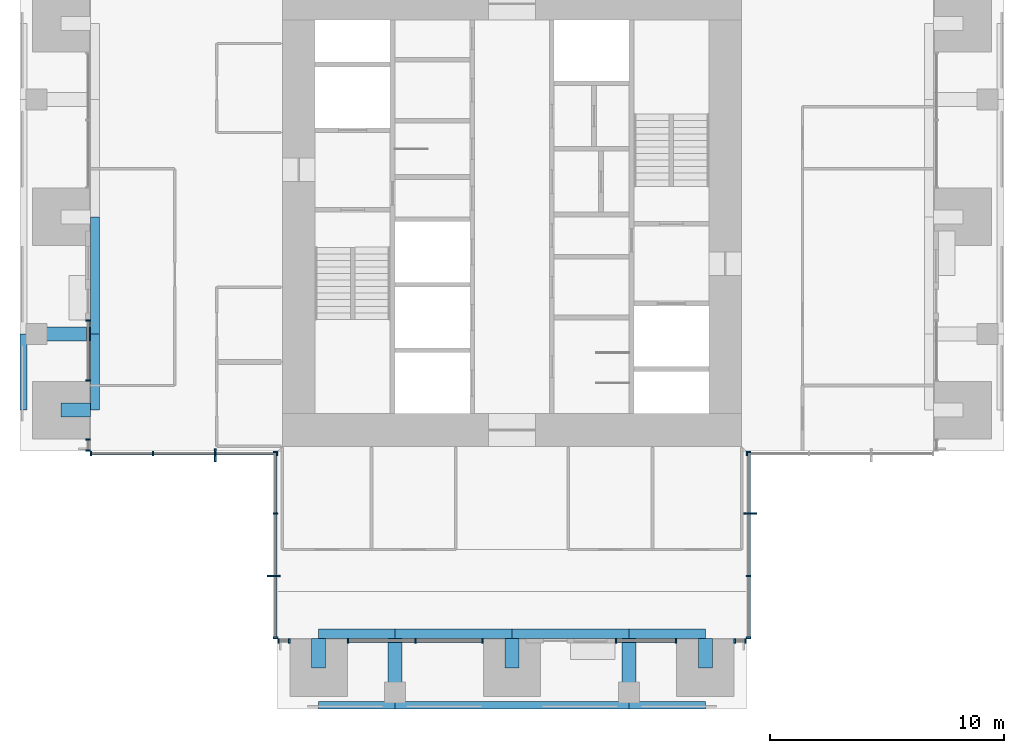
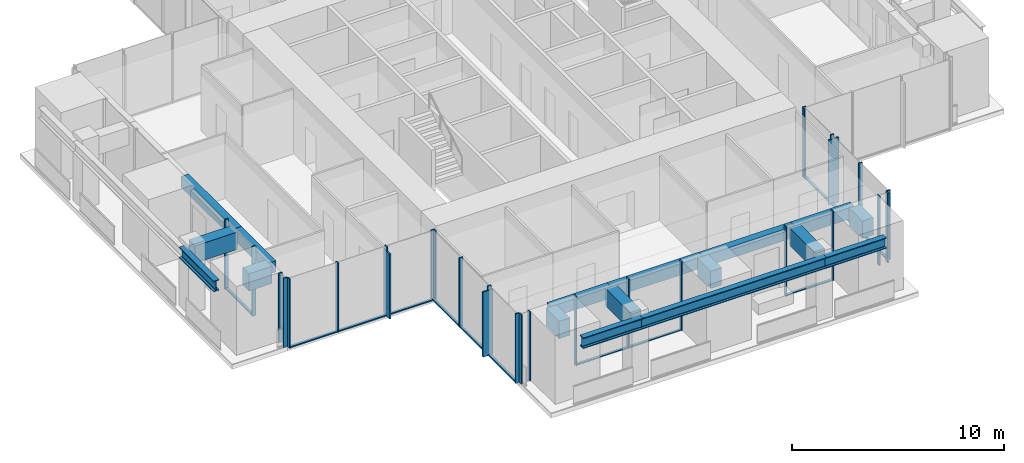
# One storey, part 2 of 17: 42 members, 17 beams, 10 elements without a shape of their own.
"""IFC4 building model written with IfcOpenShell, lengths in metres."""

from ifc_helpers import new_model, si_unit, direction, frame, origin, origin_2d, place, context, subcontext, project, spatial, rectangle, i_section, extrude, material, material_profile, profile_set, type_object, element, aggregate, save


model = new_model("IFC4")

# Units and contexts
model_context = context("Model", 3, precision=1e-05, world=origin(), true_north=direction((0.0, 1.0)))
body_context = subcontext(model_context, "Body", "Model", "MODEL_VIEW")
ifc_project = project(units=[si_unit("LENGTHUNIT", "METRE"), si_unit("AREAUNIT", "SQUARE_METRE"), si_unit("VOLUMEUNIT", "CUBIC_METRE"), si_unit("PLANEANGLEUNIT", "RADIAN"), si_unit("MASSUNIT", "GRAM", prefix="KILO")], contexts=[model_context])

# Site, building, storey
site_placement = place(None, origin())
site = spatial("IfcSite", under=ifc_project, at=site_placement, CompositionType="ELEMENT")
building_placement = place(site_placement, origin())
building = spatial("IfcBuilding", under=site, at=building_placement, Name="Svetlomir Tower", CompositionType="ELEMENT")
storey_placement = place(building_placement, frame((0.0, 0.0, 202.5)))
storey = spatial("IfcBuildingStorey", under=building, at=storey_placement, Name="L48", CompositionType="ELEMENT", Elevation=202.5)

# Curtain wall, member
ifc_material_1 = material(Name="Bronze anodised aluminium curtain wall", Category="aluminium")
curtain_wall_type = type_object("IfcCurtainWallType", Name="CURTAIN WALL CW1 TOWER OFFICE", PredefinedType="NOTDEFINED", material=ifc_material_1)
curtain_wall_1_placement = place(storey_placement, origin())
curtain_wall_1 = element("IfcCurtainWall", 1, at=curtain_wall_1_placement, inside=storey, type_object=curtain_wall_type, Name="Curtain wall CW1 L48", PredefinedType="NOTDEFINED")
ifc_material_2 = material(Name="Bronze anodised aluminium", Category="aluminium")
ifc_material_profile_1 = material_profile(ifc_material_2, rectangle(XDim=0.080078125, YDim=0.550048828125, at=origin_2d()), Name="FIN 80x550")
ifc_profile_set_1 = profile_set([ifc_material_profile_1], Name="Bronze anodised aluminium 6063-T6")
member_type_1 = type_object("IfcMemberType", Name="BRONZE FIN 80x550", PredefinedType="USERDEFINED", material=ifc_profile_set_1)
member_1_placement = place(storey_placement, frame((31.175048828125, 8.333251953125, 0.0), z_axis=(0.0, 0.0, 1.0), x_axis=(0.0, 1.0, 0.0)))
member_1 = element("IfcMember", 2, at=member_1_placement, type_object=member_type_1, Name="Bronze fin L48", ObjectType="FIN", PredefinedType="USERDEFINED", context=body_context, shape_type="SweptSolid", body=[
    extrude(rectangle(XDim=0.080078125, YDim=0.550048828125, at=origin_2d()), origin(), (0.0, 0.0, 1.0), 3.75),
])

curtain_wall_2_placement = place(storey_placement, origin())
curtain_wall_2 = element("IfcCurtainWall", 3, at=curtain_wall_2_placement, inside=storey, type_object=curtain_wall_type, Name="Curtain wall CW1 L48", PredefinedType="NOTDEFINED")
member_2_placement = place(storey_placement, frame((8.333251953125, 10.824951171875, 0.0), z_axis=(0.0, 0.0, 1.0), x_axis=(1.0, 0.0, 0.0)))
member_2 = element("IfcMember", 4, at=member_2_placement, type_object=member_type_1, Name="Bronze fin L48", ObjectType="FIN", PredefinedType="USERDEFINED", context=body_context, shape_type="SweptSolid", body=[
    extrude(rectangle(XDim=0.080078125, YDim=0.550048828125, at=origin_2d()), origin(), (0.0, 0.0, 1.0), 3.75),
])

curtain_wall_3_placement = place(storey_placement, origin())
curtain_wall_3 = element("IfcCurtainWall", 5, at=curtain_wall_3_placement, inside=storey, type_object=curtain_wall_type, Name="Curtain wall CW1 L48", PredefinedType="NOTDEFINED")
member_3_placement = place(storey_placement, frame((10.824951171875, 5.666748046875, 0.0), z_axis=(0.0, 0.0, 1.0), x_axis=(0.0, 1.0, 0.0)))
member_3 = element("IfcMember", 6, at=member_3_placement, type_object=member_type_1, Name="Bronze fin L48", ObjectType="FIN", PredefinedType="USERDEFINED", context=body_context, shape_type="SweptSolid", body=[
    extrude(rectangle(XDim=0.080078125, YDim=0.550048828125, at=origin_2d()), origin(), (0.0, 0.0, 1.0), 3.75),
])

# Curtain wall, members
curtain_wall_4_placement = place(storey_placement, origin())
curtain_wall_4 = element("IfcCurtainWall", 7, at=curtain_wall_4_placement, inside=storey, type_object=curtain_wall_type, Name="Curtain wall CW1 L48", PredefinedType="NOTDEFINED")
ifc_material_3 = material(Name="Bronze anodised aluminium", Category="aluminium")
ifc_material_profile_2 = material_profile(ifc_material_3, rectangle(XDim=0.06494140625, YDim=0.199951171875, at=origin_2d()), Name="AL 65x200")
ifc_profile_set_2 = profile_set([ifc_material_profile_2], Name="Bronze anodised aluminium 6063-T6")
member_type_2 = type_object("IfcMemberType", Name="CW1 MULLION 65x200", PredefinedType="MULLION", material=ifc_profile_set_2)
member_4_placement = place(storey_placement, frame((11.032470703125, 2.89990234375, 0.0), z_axis=(0.0, 0.0, 1.0), x_axis=(1.0, 0.0, 0.0)))
member_4 = element("IfcMember", 8, at=member_4_placement, type_object=member_type_2, Name="CW1 mullion 1", PredefinedType="MULLION", context=body_context, shape_type="SweptSolid", body=[
    extrude(rectangle(XDim=0.06494140625, YDim=0.199951171875, at=origin_2d()), origin(), (0.0, 0.0, 1.0), 4.0),
])
member_5_placement = place(storey_placement, frame((11.492431640625, 2.89990234375, 0.0), z_axis=(0.0, 0.0, 1.0), x_axis=(1.0, 0.0, 0.0)))
member_5 = element("IfcMember", 9, at=member_5_placement, type_object=member_type_2, Name="CW1 mullion 2", PredefinedType="MULLION", context=body_context, shape_type="SweptSolid", body=[
    extrude(rectangle(XDim=0.06494140625, YDim=0.199951171875, at=origin_2d()), origin(), (0.0, 0.0, 1.0), 4.0),
])
aggregate(curtain_wall_4, [member_4, member_5])

curtain_wall_5_placement = place(storey_placement, origin())
curtain_wall_5 = element("IfcCurtainWall", 10, at=curtain_wall_5_placement, inside=storey, type_object=curtain_wall_type, Name="Curtain wall CW1 L48", PredefinedType="NOTDEFINED")
member_6_placement = place(storey_placement, frame((14.007568359375, 2.89990234375, 0.0), z_axis=(0.0, 0.0, 1.0), x_axis=(1.0, 0.0, 0.0)))
member_6 = element("IfcMember", 11, at=member_6_placement, type_object=member_type_2, Name="CW1 mullion 1", PredefinedType="MULLION", context=body_context, shape_type="SweptSolid", body=[
    extrude(rectangle(XDim=0.06494140625, YDim=0.199951171875, at=origin_2d()), origin(), (0.0, 0.0, 1.0), 4.0),
])
member_7_placement = place(storey_placement, frame((16.875, 2.89990234375, 0.0), z_axis=(0.0, 0.0, 1.0), x_axis=(1.0, 0.0, 0.0)))
member_7 = element("IfcMember", 12, at=member_7_placement, type_object=member_type_2, Name="CW1 mullion 2", PredefinedType="MULLION", context=body_context, shape_type="SweptSolid", body=[
    extrude(rectangle(XDim=0.06494140625, YDim=0.199951171875, at=origin_2d()), origin(), (0.0, 0.0, 1.0), 4.0),
])
member_8_placement = place(storey_placement, frame((19.742431640625, 2.89990234375, 0.0), z_axis=(0.0, 0.0, 1.0), x_axis=(1.0, 0.0, 0.0)))
member_8 = element("IfcMember", 13, at=member_8_placement, type_object=member_type_2, Name="CW1 mullion 3", PredefinedType="MULLION", context=body_context, shape_type="SweptSolid", body=[
    extrude(rectangle(XDim=0.06494140625, YDim=0.199951171875, at=origin_2d()), origin(), (0.0, 0.0, 1.0), 4.0),
])

curtain_wall_6_placement = place(storey_placement, origin())
curtain_wall_6 = element("IfcCurtainWall", 14, at=curtain_wall_6_placement, inside=storey, type_object=curtain_wall_type, Name="Curtain wall CW1 L48", PredefinedType="NOTDEFINED")
member_9_placement = place(storey_placement, frame((25.4326171875, 2.89990234375, 0.0), z_axis=(0.0, 0.0, 1.0), x_axis=(1.0, 0.0, 0.0)))
member_9 = element("IfcMember", 15, at=member_9_placement, type_object=member_type_2, Name="CW1 mullion 1", PredefinedType="MULLION", context=body_context, shape_type="SweptSolid", body=[
    extrude(rectangle(XDim=0.06494140625, YDim=0.199951171875, at=origin_2d()), origin(), (0.0, 0.0, 1.0), 4.0),
])
member_10_placement = place(storey_placement, frame((27.992431640625, 2.89990234375, 0.0), z_axis=(0.0, 0.0, 1.0), x_axis=(1.0, 0.0, 0.0)))
member_10 = element("IfcMember", 16, at=member_10_placement, type_object=member_type_2, Name="CW1 mullion 2", PredefinedType="MULLION", context=body_context, shape_type="SweptSolid", body=[
    extrude(rectangle(XDim=0.06494140625, YDim=0.199951171875, at=origin_2d()), origin(), (0.0, 0.0, 1.0), 4.0),
])

curtain_wall_7_placement = place(storey_placement, origin())
curtain_wall_7 = element("IfcCurtainWall", 17, at=curtain_wall_7_placement, inside=storey, type_object=curtain_wall_type, Name="Curtain wall CW1 L48", PredefinedType="NOTDEFINED")
member_11_placement = place(storey_placement, frame((30.507568359375, 2.89990234375, 0.0), z_axis=(0.0, 0.0, 1.0), x_axis=(1.0, 0.0, 0.0)))
member_11 = element("IfcMember", 18, at=member_11_placement, type_object=member_type_2, Name="CW1 mullion 1", PredefinedType="MULLION", context=body_context, shape_type="SweptSolid", body=[
    extrude(rectangle(XDim=0.06494140625, YDim=0.199951171875, at=origin_2d()), origin(), (0.0, 0.0, 1.0), 4.0),
])
member_12_placement = place(storey_placement, frame((30.967529296875, 2.89990234375, 0.0), z_axis=(0.0, 0.0, 1.0), x_axis=(1.0, 0.0, 0.0)))
member_12 = element("IfcMember", 19, at=member_12_placement, type_object=member_type_2, Name="CW1 mullion 2", PredefinedType="MULLION", context=body_context, shape_type="SweptSolid", body=[
    extrude(rectangle(XDim=0.06494140625, YDim=0.199951171875, at=origin_2d()), origin(), (0.0, 0.0, 1.0), 4.0),
])
aggregate(curtain_wall_7, [member_11, member_12])

# Member
member_13_placement = place(storey_placement, frame((31.10009765625, 3.032470703125, 0.0), z_axis=(0.0, 0.0, 1.0), x_axis=(0.0, 1.0, 0.0)))
member_13 = element("IfcMember", 20, at=member_13_placement, type_object=member_type_2, Name="CW1 mullion 1", PredefinedType="MULLION", context=body_context, shape_type="SweptSolid", body=[
    extrude(rectangle(XDim=0.06494140625, YDim=0.199951171875, at=origin_2d()), origin(), (0.0, 0.0, 1.0), 4.0),
])

member_14_placement = place(storey_placement, frame((31.10009765625, 5.666748046875, 0.0), z_axis=(0.0, 0.0, 1.0), x_axis=(0.0, 1.0, 0.0)))
member_14 = element("IfcMember", 21, at=member_14_placement, type_object=member_type_2, Name="CW1 mullion 2", PredefinedType="MULLION", context=body_context, shape_type="SweptSolid", body=[
    extrude(rectangle(XDim=0.06494140625, YDim=0.199951171875, at=origin_2d()), origin(), (0.0, 0.0, 1.0), 4.0),
])

member_15_placement = place(storey_placement, frame((31.10009765625, 8.333251953125, 0.0), z_axis=(0.0, 0.0, 1.0), x_axis=(0.0, 1.0, 0.0)))
member_15 = element("IfcMember", 22, at=member_15_placement, type_object=member_type_2, Name="CW1 mullion 3", PredefinedType="MULLION", context=body_context, shape_type="SweptSolid", body=[
    extrude(rectangle(XDim=0.06494140625, YDim=0.199951171875, at=origin_2d()), origin(), (0.0, 0.0, 1.0), 4.0),
])

member_16_placement = place(storey_placement, frame((31.10009765625, 10.967529296875, 0.0), z_axis=(0.0, 0.0, 1.0), x_axis=(0.0, 1.0, 0.0)))
member_16 = element("IfcMember", 23, at=member_16_placement, type_object=member_type_2, Name="CW1 mullion 4", PredefinedType="MULLION", context=body_context, shape_type="SweptSolid", body=[
    extrude(rectangle(XDim=0.06494140625, YDim=0.199951171875, at=origin_2d()), origin(), (0.0, 0.0, 1.0), 4.0),
])

# Curtain wall, member
curtain_wall_8_placement = place(storey_placement, origin())
curtain_wall_8 = element("IfcCurtainWall", 24, at=curtain_wall_8_placement, inside=storey, type_object=curtain_wall_type, Name="Curtain wall CW1 L48", PredefinedType="NOTDEFINED")
member_17_placement = place(storey_placement, frame((31.032470703125, 10.89990234375, 0.0), z_axis=(0.0, 0.0, 1.0), x_axis=(1.0, 0.0, 0.0)))
member_17 = element("IfcMember", 25, at=member_17_placement, type_object=member_type_2, Name="CW1 mullion 1", PredefinedType="MULLION", context=body_context, shape_type="SweptSolid", body=[
    extrude(rectangle(XDim=0.06494140625, YDim=0.199951171875, at=origin_2d()), origin(), (0.0, 0.0, 1.0), 4.0),
])
aggregate(curtain_wall_8, [member_17])

# Curtain wall, members
curtain_wall_9_placement = place(storey_placement, origin())
curtain_wall_9 = element("IfcCurtainWall", 26, at=curtain_wall_9_placement, inside=storey, type_object=curtain_wall_type, Name="Curtain wall CW1 L48", PredefinedType="NOTDEFINED")
member_18_placement = place(storey_placement, frame((2.89990234375, 16.5673828125, 0.0), z_axis=(0.0, 0.0, 1.0), x_axis=(0.0, -1.0, 0.0)))
member_18 = element("IfcMember", 27, at=member_18_placement, type_object=member_type_2, Name="CW1 mullion 1", PredefinedType="MULLION", context=body_context, shape_type="SweptSolid", body=[
    extrude(rectangle(XDim=0.06494140625, YDim=0.199951171875, at=origin_2d()), origin(), (0.0, 0.0, 1.0), 4.0),
])
member_19_placement = place(storey_placement, frame((2.89990234375, 14.007568359375, 0.0), z_axis=(0.0, 0.0, 1.0), x_axis=(0.0, -1.0, 0.0)))
member_19 = element("IfcMember", 28, at=member_19_placement, type_object=member_type_2, Name="CW1 mullion 2", PredefinedType="MULLION", context=body_context, shape_type="SweptSolid", body=[
    extrude(rectangle(XDim=0.06494140625, YDim=0.199951171875, at=origin_2d()), origin(), (0.0, 0.0, 1.0), 4.0),
])

curtain_wall_10_placement = place(storey_placement, origin())
curtain_wall_10 = element("IfcCurtainWall", 29, at=curtain_wall_10_placement, inside=storey, type_object=curtain_wall_type, Name="Curtain wall CW1 L48", PredefinedType="NOTDEFINED")
member_20_placement = place(storey_placement, frame((2.89990234375, 11.492431640625, 0.0), z_axis=(0.0, 0.0, 1.0), x_axis=(0.0, -1.0, 0.0)))
member_20 = element("IfcMember", 30, at=member_20_placement, type_object=member_type_2, Name="CW1 mullion 1", PredefinedType="MULLION", context=body_context, shape_type="SweptSolid", body=[
    extrude(rectangle(XDim=0.06494140625, YDim=0.199951171875, at=origin_2d()), origin(), (0.0, 0.0, 1.0), 4.0),
])
member_21_placement = place(storey_placement, frame((2.89990234375, 11.032470703125, 0.0), z_axis=(0.0, 0.0, 1.0), x_axis=(0.0, -1.0, 0.0)))
member_21 = element("IfcMember", 31, at=member_21_placement, type_object=member_type_2, Name="CW1 mullion 2", PredefinedType="MULLION", context=body_context, shape_type="SweptSolid", body=[
    extrude(rectangle(XDim=0.06494140625, YDim=0.199951171875, at=origin_2d()), origin(), (0.0, 0.0, 1.0), 4.0),
])
aggregate(curtain_wall_10, [member_20, member_21])

# Member
member_22_placement = place(storey_placement, frame((3.032470703125, 10.89990234375, 0.0), z_axis=(0.0, 0.0, 1.0), x_axis=(1.0, 0.0, 0.0)))
member_22 = element("IfcMember", 32, at=member_22_placement, type_object=member_type_2, Name="CW1 mullion 1", PredefinedType="MULLION", context=body_context, shape_type="SweptSolid", body=[
    extrude(rectangle(XDim=0.06494140625, YDim=0.199951171875, at=origin_2d()), origin(), (0.0, 0.0, 1.0), 4.0),
])

member_23_placement = place(storey_placement, frame((5.666748046875, 10.89990234375, 0.0), z_axis=(0.0, 0.0, 1.0), x_axis=(1.0, 0.0, 0.0)))
member_23 = element("IfcMember", 33, at=member_23_placement, type_object=member_type_2, Name="CW1 mullion 2", PredefinedType="MULLION", context=body_context, shape_type="SweptSolid", body=[
    extrude(rectangle(XDim=0.06494140625, YDim=0.199951171875, at=origin_2d()), origin(), (0.0, 0.0, 1.0), 4.0),
])

member_24_placement = place(storey_placement, frame((8.333251953125, 10.89990234375, 0.0), z_axis=(0.0, 0.0, 1.0), x_axis=(1.0, 0.0, 0.0)))
member_24 = element("IfcMember", 34, at=member_24_placement, type_object=member_type_2, Name="CW1 mullion 3", PredefinedType="MULLION", context=body_context, shape_type="SweptSolid", body=[
    extrude(rectangle(XDim=0.06494140625, YDim=0.199951171875, at=origin_2d()), origin(), (0.0, 0.0, 1.0), 4.0),
])

member_25_placement = place(storey_placement, frame((10.967529296875, 10.89990234375, 0.0), z_axis=(0.0, 0.0, 1.0), x_axis=(1.0, 0.0, 0.0)))
member_25 = element("IfcMember", 35, at=member_25_placement, type_object=member_type_2, Name="CW1 mullion 4", PredefinedType="MULLION", context=body_context, shape_type="SweptSolid", body=[
    extrude(rectangle(XDim=0.06494140625, YDim=0.199951171875, at=origin_2d()), origin(), (0.0, 0.0, 1.0), 4.0),
])

member_26_placement = place(storey_placement, frame((10.89990234375, 10.967529296875, 0.0), z_axis=(0.0, 0.0, 1.0), x_axis=(0.0, -1.0, 0.0)))
member_26 = element("IfcMember", 36, at=member_26_placement, type_object=member_type_2, Name="CW1 mullion 1", PredefinedType="MULLION", context=body_context, shape_type="SweptSolid", body=[
    extrude(rectangle(XDim=0.06494140625, YDim=0.199951171875, at=origin_2d()), origin(), (0.0, 0.0, 1.0), 4.0),
])

member_27_placement = place(storey_placement, frame((10.89990234375, 8.333251953125, 0.0), z_axis=(0.0, 0.0, 1.0), x_axis=(0.0, -1.0, 0.0)))
member_27 = element("IfcMember", 37, at=member_27_placement, type_object=member_type_2, Name="CW1 mullion 2", PredefinedType="MULLION", context=body_context, shape_type="SweptSolid", body=[
    extrude(rectangle(XDim=0.06494140625, YDim=0.199951171875, at=origin_2d()), origin(), (0.0, 0.0, 1.0), 4.0),
])

member_28_placement = place(storey_placement, frame((10.89990234375, 5.666748046875, 0.0), z_axis=(0.0, 0.0, 1.0), x_axis=(0.0, -1.0, 0.0)))
member_28 = element("IfcMember", 38, at=member_28_placement, type_object=member_type_2, Name="CW1 mullion 3", PredefinedType="MULLION", context=body_context, shape_type="SweptSolid", body=[
    extrude(rectangle(XDim=0.06494140625, YDim=0.199951171875, at=origin_2d()), origin(), (0.0, 0.0, 1.0), 4.0),
])

member_29_placement = place(storey_placement, frame((10.89990234375, 3.032470703125, 0.0), z_axis=(0.0, 0.0, 1.0), x_axis=(0.0, -1.0, 0.0)))
member_29 = element("IfcMember", 39, at=member_29_placement, type_object=member_type_2, Name="CW1 mullion 4", PredefinedType="MULLION", context=body_context, shape_type="SweptSolid", body=[
    extrude(rectangle(XDim=0.06494140625, YDim=0.199951171875, at=origin_2d()), origin(), (0.0, 0.0, 1.0), 4.0),
])

ifc_material_4 = material(Name="Bronze anodised aluminium", Category="aluminium")
ifc_material_profile_3 = material_profile(ifc_material_4, rectangle(XDim=0.139892578125, YDim=0.06494140625, at=origin_2d()), Name="AL 140x65")
ifc_profile_set_3 = profile_set([ifc_material_profile_3], Name="Bronze anodised aluminium 6063-T6")
member_type_3 = type_object("IfcMemberType", Name="CW1 TRANSOM 65x140", PredefinedType="USERDEFINED", material=ifc_profile_set_3)
member_30_placement = place(storey_placement, frame((14.0400390625, 2.89990234375, 0.032470703125), z_axis=(1.0, 0.0, 0.0), x_axis=(0.0, 1.0, 0.0)))
member_30 = element("IfcMember", 40, at=member_30_placement, type_object=member_type_3, Name="CW1 transom 1.1", ObjectType="TRANSOM", PredefinedType="USERDEFINED", context=body_context, shape_type="SweptSolid", body=[
    extrude(rectangle(XDim=0.139892578125, YDim=0.06494140625, at=origin_2d()), origin(), (0.0, 0.0, 1.0), 2.802490234375),
])

member_31_placement = place(storey_placement, frame((16.907470703125, 2.89990234375, 0.032470703125), z_axis=(1.0, 0.0, 0.0), x_axis=(0.0, 1.0, 0.0)))
member_31 = element("IfcMember", 41, at=member_31_placement, type_object=member_type_3, Name="CW1 transom 2.1", ObjectType="TRANSOM", PredefinedType="USERDEFINED", context=body_context, shape_type="SweptSolid", body=[
    extrude(rectangle(XDim=0.139892578125, YDim=0.06494140625, at=origin_2d()), origin(), (0.0, 0.0, 1.0), 2.802490234375),
])

aggregate(curtain_wall_5, [member_6, member_7, member_8, member_30, member_31])

member_32_placement = place(storey_placement, frame((25.465087890625, 2.89990234375, 0.032470703125), z_axis=(1.0, 0.0, 0.0), x_axis=(0.0, 1.0, 0.0)))
member_32 = element("IfcMember", 42, at=member_32_placement, type_object=member_type_3, Name="CW1 transom 1.1", ObjectType="TRANSOM", PredefinedType="USERDEFINED", context=body_context, shape_type="SweptSolid", body=[
    extrude(rectangle(XDim=0.139892578125, YDim=0.06494140625, at=origin_2d()), origin(), (0.0, 0.0, 1.0), 2.494873046875),
])

aggregate(curtain_wall_6, [member_9, member_10, member_32])

member_33_placement = place(storey_placement, frame((31.10009765625, 3.06494140625, 0.032470703125), z_axis=(0.0, 1.0, 0.0), x_axis=(-1.0, 0.0, 0.0)))
member_33 = element("IfcMember", 43, at=member_33_placement, type_object=member_type_3, Name="CW1 transom 1.1", ObjectType="TRANSOM", PredefinedType="USERDEFINED", context=body_context, shape_type="SweptSolid", body=[
    extrude(rectangle(XDim=0.139892578125, YDim=0.06494140625, at=origin_2d()), origin(), (0.0, 0.0, 1.0), 2.5693359375),
])

member_34_placement = place(storey_placement, frame((31.10009765625, 5.69921875, 0.032470703125), z_axis=(0.0, 1.0, 0.0), x_axis=(-1.0, 0.0, 0.0)))
member_34 = element("IfcMember", 44, at=member_34_placement, type_object=member_type_3, Name="CW1 transom 2.1", ObjectType="TRANSOM", PredefinedType="USERDEFINED", context=body_context, shape_type="SweptSolid", body=[
    extrude(rectangle(XDim=0.139892578125, YDim=0.06494140625, at=origin_2d()), origin(), (0.0, 0.0, 1.0), 2.6015625),
])

member_35_placement = place(storey_placement, frame((31.10009765625, 8.36572265625, 0.032470703125), z_axis=(0.0, 1.0, 0.0), x_axis=(-1.0, 0.0, 0.0)))
member_35 = element("IfcMember", 45, at=member_35_placement, type_object=member_type_3, Name="CW1 transom 3.1", ObjectType="TRANSOM", PredefinedType="USERDEFINED", context=body_context, shape_type="SweptSolid", body=[
    extrude(rectangle(XDim=0.139892578125, YDim=0.06494140625, at=origin_2d()), origin(), (0.0, 0.0, 1.0), 2.5693359375),
])

aggregate(curtain_wall_1, [member_13, member_14, member_15, member_16, member_33, member_34, member_35, member_1])

member_36_placement = place(storey_placement, frame((2.89990234375, 16.534912109375, 0.032470703125), z_axis=(0.0, -1.0, 0.0), x_axis=(1.0, 0.0, 0.0)))
member_36 = element("IfcMember", 46, at=member_36_placement, type_object=member_type_3, Name="CW1 transom 1.1", ObjectType="TRANSOM", PredefinedType="USERDEFINED", context=body_context, shape_type="SweptSolid", body=[
    extrude(rectangle(XDim=0.139892578125, YDim=0.06494140625, at=origin_2d()), origin(), (0.0, 0.0, 1.0), 2.494873046875),
])

aggregate(curtain_wall_9, [member_18, member_19, member_36])

member_37_placement = place(storey_placement, frame((3.06494140625, 10.89990234375, 0.032470703125), z_axis=(1.0, 0.0, 0.0), x_axis=(0.0, 1.0, 0.0)))
member_37 = element("IfcMember", 47, at=member_37_placement, type_object=member_type_3, Name="CW1 transom 1.1", ObjectType="TRANSOM", PredefinedType="USERDEFINED", context=body_context, shape_type="SweptSolid", body=[
    extrude(rectangle(XDim=0.139892578125, YDim=0.06494140625, at=origin_2d()), origin(), (0.0, 0.0, 1.0), 2.5693359375),
])

member_38_placement = place(storey_placement, frame((5.69921875, 10.89990234375, 0.032470703125), z_axis=(1.0, 0.0, 0.0), x_axis=(0.0, 1.0, 0.0)))
member_38 = element("IfcMember", 48, at=member_38_placement, type_object=member_type_3, Name="CW1 transom 2.1", ObjectType="TRANSOM", PredefinedType="USERDEFINED", context=body_context, shape_type="SweptSolid", body=[
    extrude(rectangle(XDim=0.139892578125, YDim=0.06494140625, at=origin_2d()), origin(), (0.0, 0.0, 1.0), 2.6015625),
])

member_39_placement = place(storey_placement, frame((8.36572265625, 10.89990234375, 0.032470703125), z_axis=(1.0, 0.0, 0.0), x_axis=(0.0, 1.0, 0.0)))
member_39 = element("IfcMember", 49, at=member_39_placement, type_object=member_type_3, Name="CW1 transom 3.1", ObjectType="TRANSOM", PredefinedType="USERDEFINED", context=body_context, shape_type="SweptSolid", body=[
    extrude(rectangle(XDim=0.139892578125, YDim=0.06494140625, at=origin_2d()), origin(), (0.0, 0.0, 1.0), 2.5693359375),
])

aggregate(curtain_wall_2, [member_22, member_23, member_24, member_25, member_37, member_38, member_39, member_2])

member_40_placement = place(storey_placement, frame((10.89990234375, 10.93505859375, 0.032470703125), z_axis=(0.0, -1.0, 0.0), x_axis=(1.0, 0.0, 0.0)))
member_40 = element("IfcMember", 50, at=member_40_placement, type_object=member_type_3, Name="CW1 transom 1.1", ObjectType="TRANSOM", PredefinedType="USERDEFINED", context=body_context, shape_type="SweptSolid", body=[
    extrude(rectangle(XDim=0.139892578125, YDim=0.06494140625, at=origin_2d()), origin(), (0.0, 0.0, 1.0), 2.5693359375),
])

member_41_placement = place(storey_placement, frame((10.89990234375, 8.30078125, 0.032470703125), z_axis=(0.0, -1.0, 0.0), x_axis=(1.0, 0.0, 0.0)))
member_41 = element("IfcMember", 51, at=member_41_placement, type_object=member_type_3, Name="CW1 transom 2.1", ObjectType="TRANSOM", PredefinedType="USERDEFINED", context=body_context, shape_type="SweptSolid", body=[
    extrude(rectangle(XDim=0.139892578125, YDim=0.06494140625, at=origin_2d()), origin(), (0.0, 0.0, 1.0), 2.6015625),
])

member_42_placement = place(storey_placement, frame((10.89990234375, 5.63427734375, 0.032470703125), z_axis=(0.0, -1.0, 0.0), x_axis=(1.0, 0.0, 0.0)))
member_42 = element("IfcMember", 52, at=member_42_placement, type_object=member_type_3, Name="CW1 transom 3.1", ObjectType="TRANSOM", PredefinedType="USERDEFINED", context=body_context, shape_type="SweptSolid", body=[
    extrude(rectangle(XDim=0.139892578125, YDim=0.06494140625, at=origin_2d()), origin(), (0.0, 0.0, 1.0), 2.5693359375),
])

aggregate(curtain_wall_3, [member_26, member_27, member_28, member_29, member_40, member_41, member_42, member_3])

# Beams
ifc_material_5 = material(Name="Steel S355", Category="steel")
ifc_material_profile_4 = material_profile(ifc_material_5, i_section(OverallWidth=0.304931640625, OverallDepth=0.6201171875, WebThickness=0.02099609375, FlangeThickness=0.0400390625, FilletRadius=0.027099609375, at=origin_2d()), Name="HEM 600")
ifc_profile_set_4 = profile_set([ifc_material_profile_4], Name="Steel S355")
beam_type_1 = type_object("IfcBeamType", Name="EDGE BEAM HEM 600", PredefinedType="SPANDREL", material=ifc_profile_set_4)
for number, where, z_axis, x_axis, name in (
    (53, (12.75, 0.152587890625, 3.43994140625), (1.0, 0.0, 0.0), (0.0, 1.0, 0.0), "Edge beam 11/0 to 16/0 under L49"),
    (54, (0.152587890625, 12.75, 3.43994140625), (0.0, 1.0, 0.0), (-1.0, 0.0, 0.0), "Edge beam 0/11 to 0/16 under L49"),
):
    element("IfcBeam", number, at=place(storey_placement, frame(where, z_axis=z_axis, x_axis=x_axis)), inside=storey, type_object=beam_type_1, Name=name, PredefinedType="SPANDREL", context=body_context, shape_type="SweptSolid", body=[
        extrude(i_section(OverallWidth=0.304931640625, OverallDepth=0.6201171875, WebThickness=0.02099609375, FlangeThickness=0.0400390625, FilletRadius=0.027099609375, at=origin_2d()), origin(), (0.0, 0.0, 1.0), 3.25),
    ])
beam_1_placement = place(storey_placement, frame((16.0, 0.152587890625, 3.43994140625), z_axis=(1.0, 0.0, 0.0), x_axis=(0.0, 1.0, 0.0)))
element("IfcBeam", 55, at=beam_1_placement, inside=storey, type_object=beam_type_1, Name="Edge beam 16/0 to 26/0 under L49", PredefinedType="SPANDREL", context=body_context, shape_type="SweptSolid", body=[
    extrude(i_section(OverallWidth=0.304931640625, OverallDepth=0.6201171875, WebThickness=0.02099609375, FlangeThickness=0.0400390625, FilletRadius=0.027099609375, at=origin_2d()), origin(), (0.0, 0.0, 1.0), 10.0),
])
beam_2_placement = place(storey_placement, frame((26.0, 0.152587890625, 3.43994140625), z_axis=(1.0, 0.0, 0.0), x_axis=(0.0, 1.0, 0.0)))
element("IfcBeam", 56, at=beam_2_placement, inside=storey, type_object=beam_type_1, Name="Edge beam 26/0 to 31/0 under L49", PredefinedType="SPANDREL", context=body_context, shape_type="SweptSolid", body=[
    extrude(i_section(OverallWidth=0.304931640625, OverallDepth=0.6201171875, WebThickness=0.02099609375, FlangeThickness=0.0400390625, FilletRadius=0.027099609375, at=origin_2d()), origin(), (0.0, 0.0, 1.0), 3.25),
])
ifc_material_6 = material(Name="Concrete C60/75", Category="concrete")
ifc_material_profile_5 = material_profile(ifc_material_6, rectangle(XDim=0.39990234375, YDim=0.64990234375, at=origin_2d()), Name="RC 400x650")
ifc_profile_set_5 = profile_set([ifc_material_profile_5], Name="Concrete C60/75")
beam_type_2 = type_object("IfcBeamType", Name="FACADE EDGE BEAM RC 400x650", PredefinedType="BEAM", material=ifc_profile_set_5)
beam_3_placement = place(storey_placement, frame((12.75, 3.199951171875, 3.425048828125), z_axis=(1.0, 0.0, 0.0), x_axis=(0.0, 1.0, 0.0)))
element("IfcBeam", 57, at=beam_3_placement, inside=storey, type_object=beam_type_2, Name="Facade edge beam S 11 to 16 under L49", PredefinedType="BEAM", context=body_context, shape_type="SweptSolid", body=[
    extrude(rectangle(XDim=0.39990234375, YDim=0.64990234375, at=origin_2d()), origin(), (0.0, 0.0, 1.0), 3.25),
])
for number, where, z_axis, x_axis, name in (
    (58, (16.0, 3.199951171875, 3.425048828125), (1.0, 0.0, 0.0), (0.0, 1.0, 0.0), "Facade edge beam S 16 to 21 under L49"),
    (59, (21.0, 3.199951171875, 3.425048828125), (1.0, 0.0, 0.0), (0.0, 1.0, 0.0), "Facade edge beam S 21 to 26 under L49"),
):
    element("IfcBeam", number, at=place(storey_placement, frame(where, z_axis=z_axis, x_axis=x_axis)), inside=storey, type_object=beam_type_2, Name=name, PredefinedType="BEAM", context=body_context, shape_type="SweptSolid", body=[
        extrude(rectangle(XDim=0.39990234375, YDim=0.64990234375, at=origin_2d()), origin(), (0.0, 0.0, 1.0), 5.0),
    ])
for number, where, z_axis, x_axis, name in (
    (60, (26.0, 3.199951171875, 3.425048828125), (1.0, 0.0, 0.0), (0.0, 1.0, 0.0), "Facade edge beam S 26 to 31 under L49"),
    (61, (3.199951171875, 12.75, 3.425048828125), (0.0, 1.0, 0.0), (-1.0, 0.0, 0.0), "Facade edge beam W 11 to 16 under L49"),
):
    element("IfcBeam", number, at=place(storey_placement, frame(where, z_axis=z_axis, x_axis=x_axis)), inside=storey, type_object=beam_type_2, Name=name, PredefinedType="BEAM", context=body_context, shape_type="SweptSolid", body=[
        extrude(rectangle(XDim=0.39990234375, YDim=0.64990234375, at=origin_2d()), origin(), (0.0, 0.0, 1.0), 3.25),
    ])
beam_4_placement = place(storey_placement, frame((3.199951171875, 16.0, 3.425048828125), z_axis=(0.0, 1.0, 0.0), x_axis=(-1.0, 0.0, 0.0)))
element("IfcBeam", 62, at=beam_4_placement, inside=storey, type_object=beam_type_2, Name="Facade edge beam W 16 to 21 under L49", PredefinedType="BEAM", context=body_context, shape_type="SweptSolid", body=[
    extrude(rectangle(XDim=0.39990234375, YDim=0.64990234375, at=origin_2d()), origin(), (0.0, 0.0, 1.0), 5.0),
])
ifc_material_7 = material(Name="Concrete C60/75", Category="concrete")
ifc_material_profile_6 = material_profile(ifc_material_7, rectangle(XDim=0.60009765625, YDim=1.0, at=origin_2d()), Name="RC 600x1000")
ifc_profile_set_6 = profile_set([ifc_material_profile_6], Name="Concrete C60/75")
beam_type_3 = type_object("IfcBeamType", Name="LOGGIA LINK BEAM RC 600x1000", PredefinedType="BEAM", material=ifc_profile_set_6)
beam_5_placement = place(storey_placement, frame((12.75, 1.75, 3.25), z_axis=(0.0, 1.0, 0.0), x_axis=(-1.0, 0.0, 0.0)))
element("IfcBeam", 63, at=beam_5_placement, inside=storey, type_object=beam_type_3, Name="Loggia link beam S 11 under L49", PredefinedType="BEAM", context=body_context, shape_type="SweptSolid", body=[
    extrude(rectangle(XDim=0.60009765625, YDim=1.0, at=origin_2d()), origin(), (0.0, 0.0, 1.0), 1.25),
])
beam_6_placement = place(storey_placement, frame((16.0, 0.699951171875, 3.25), z_axis=(0.0, 1.0, 0.0), x_axis=(-1.0, 0.0, 0.0)))
element("IfcBeam", 64, at=beam_6_placement, inside=storey, type_object=beam_type_3, Name="Loggia link beam S 16 under L49", PredefinedType="BEAM", context=body_context, shape_type="SweptSolid", body=[
    extrude(rectangle(XDim=0.60009765625, YDim=1.0, at=origin_2d()), origin(), (0.0, 0.0, 1.0), 2.300048828125),
])
beam_7_placement = place(storey_placement, frame((21.0, 1.75, 3.25), z_axis=(0.0, 1.0, 0.0), x_axis=(-1.0, 0.0, 0.0)))
element("IfcBeam", 65, at=beam_7_placement, inside=storey, type_object=beam_type_3, Name="Loggia link beam S 21 under L49", PredefinedType="BEAM", context=body_context, shape_type="SweptSolid", body=[
    extrude(rectangle(XDim=0.60009765625, YDim=1.0, at=origin_2d()), origin(), (0.0, 0.0, 1.0), 1.25),
])
beam_8_placement = place(storey_placement, frame((26.0, 0.699951171875, 3.25), z_axis=(0.0, 1.0, 0.0), x_axis=(-1.0, 0.0, 0.0)))
element("IfcBeam", 66, at=beam_8_placement, inside=storey, type_object=beam_type_3, Name="Loggia link beam S 26 under L49", PredefinedType="BEAM", context=body_context, shape_type="SweptSolid", body=[
    extrude(rectangle(XDim=0.60009765625, YDim=1.0, at=origin_2d()), origin(), (0.0, 0.0, 1.0), 2.300048828125),
])
for number, where, z_axis, x_axis, name in (
    (67, (29.25, 1.75, 3.25), (0.0, 1.0, 0.0), (-1.0, 0.0, 0.0), "Loggia link beam S 31 under L49"),
    (68, (1.75, 12.75, 3.25), (1.0, 0.0, 0.0), (0.0, 1.0, 0.0), "Loggia link beam W 11 under L49"),
):
    element("IfcBeam", number, at=place(storey_placement, frame(where, z_axis=z_axis, x_axis=x_axis)), inside=storey, type_object=beam_type_3, Name=name, PredefinedType="BEAM", context=body_context, shape_type="SweptSolid", body=[
        extrude(rectangle(XDim=0.60009765625, YDim=1.0, at=origin_2d()), origin(), (0.0, 0.0, 1.0), 1.25),
    ])
beam_9_placement = place(storey_placement, frame((0.699951171875, 16.0, 3.25), z_axis=(1.0, 0.0, 0.0), x_axis=(0.0, 1.0, 0.0)))
element("IfcBeam", 69, at=beam_9_placement, inside=storey, type_object=beam_type_3, Name="Loggia link beam W 16 under L49", PredefinedType="BEAM", context=body_context, shape_type="SweptSolid", body=[
    extrude(rectangle(XDim=0.60009765625, YDim=1.0, at=origin_2d()), origin(), (0.0, 0.0, 1.0), 2.300048828125),
])

save(model, "model.ifc")
